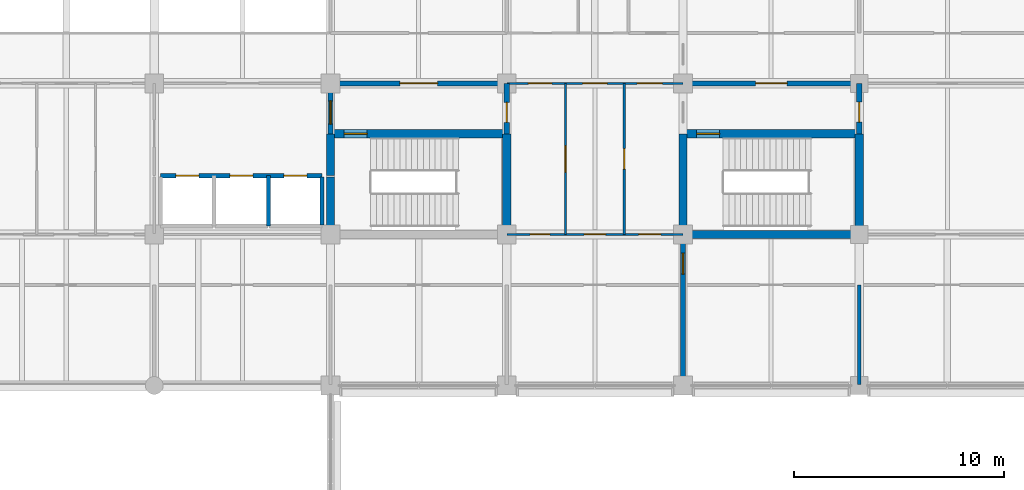
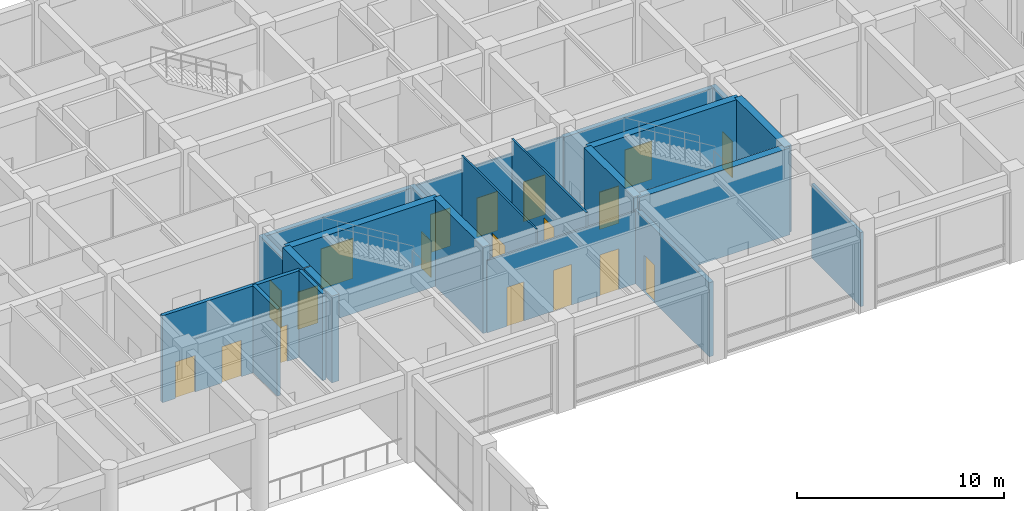
# One storey, part 49 of 68: 22 walls, 19 doors, 19 openings.
"""IFC4 building model written with IfcOpenShell, lengths in metres."""

from ifc_helpers import new_model, si_unit, direction, frame, frame_2d, origin, place, context, subcontext, project, spatial, rectangle, extrude, material, layer, layer_set, type_object, element, fill, save


model = new_model("IFC4")

# Units and contexts
model_context = context("Model", 3, precision=1e-05, world=origin(), true_north=direction((0.0, 1.0)))
body_context = subcontext(model_context, "Body", "Model", "MODEL_VIEW")
ifc_project = project(units=[si_unit("LENGTHUNIT", "METRE"), si_unit("AREAUNIT", "SQUARE_METRE"), si_unit("VOLUMEUNIT", "CUBIC_METRE"), si_unit("PLANEANGLEUNIT", "RADIAN"), si_unit("MASSUNIT", "GRAM", prefix="KILO")], contexts=[model_context])

# Site, building, storey
site_placement = place(None, origin())
site = spatial("IfcSite", under=ifc_project, at=site_placement, CompositionType="ELEMENT")
building_placement = place(site_placement, origin())
building = spatial("IfcBuilding", under=site, at=building_placement, Name="Chengyuan Square Courthouse", CompositionType="ELEMENT")
storey_placement = place(building_placement, frame((0.0, 0.0, 5.39990234375)))
storey = spatial("IfcBuildingStorey", under=building, at=storey_placement, Name="L02", CompositionType="ELEMENT", Elevation=5.39990234375)

# Wall, opening, door
ifc_material_1 = material(Name="Concrete C40", Category="concrete")
ifc_layer_1 = layer(ifc_material_1, 0.25)
ifc_layer_set_1 = layer_set([ifc_layer_1], Name="Concrete C40")
wall_type_1 = type_object("IfcWallType", Name="WL-FW1", PredefinedType="STANDARD", material=ifc_layer_set_1)
wall_1_placement = place(storey_placement, frame((100.800048828125, 93.60009765625, 0.0), z_axis=(0.0, 0.0, 1.0), x_axis=(1.0, 0.0, 0.0)))
wall_1 = element("IfcWall", 1, at=wall_1_placement, inside=storey, type_object=wall_type_1, Name="Interior Wall WL-L02-I1105", PredefinedType="STANDARD", context=body_context, shape_type="SweptSolid", body=[
    extrude(rectangle(XDim=8.39990234375, YDim=0.25, at=frame_2d((4.199951171875, 0.0))), origin(), (0.0, 0.0, 1.0), 4.27001953125),
])
opening_1_placement = place(wall_1_placement, frame((3.300048828125, 0.0, 0.0)))
opening_1 = element("IfcOpeningElement", 2, at=opening_1_placement, cuts=wall_1, Name="Opening DR-1019", PredefinedType="OPENING", context=body_context, shape_type="SweptSolid", body=[
    extrude(rectangle(XDim=1.800048828125, YDim=2.35009765625, at=frame_2d((0.89990234375, 1.175048828125))), frame((0.0, 0.136962890625, 0.0), z_axis=(0.0, -1.0, 0.0), x_axis=(1.0, 0.0, 0.0)), (0.0, 0.0, 1.0), 0.27392578125),
])
ifc_material_2 = material(Name="Steel Q235B Glazed Fire Door", Category="steel")
door_type_1 = type_object("IfcDoorType", Name="DT-18", OperationType="DOUBLE_DOOR_SINGLE_SWING", PredefinedType="DOOR", material=ifc_material_2)
door_1_placement = place(opening_1_placement, frame((1.800048828125, 0.0, 0.0), z_axis=(0.0, 0.0, 1.0), x_axis=(-1.0, 0.0, 0.0)))
door_1 = element("IfcDoor", 3, at=door_1_placement, inside=storey, type_object=door_type_1, Name="Interior Door DR-1019", OperationType="DOUBLE_DOOR_SINGLE_SWING", OverallHeight=2.35009765625, OverallWidth=1.800048828125, PredefinedType="DOOR", context=body_context, shape_type="SweptSolid", body=[
    extrude(rectangle(XDim=1.800048828125, YDim=2.35009765625, at=frame_2d((0.89990234375, 1.175048828125))), frame((0.0, 0.02490234375, 0.0), z_axis=(0.0, -1.0, 0.0), x_axis=(1.0, 0.0, 0.0)), (0.0, 0.0, 1.0), 0.050048828125),
])
fill(opening_1, door_1)

wall_2_placement = place(storey_placement, frame((117.60009765625, 93.60009765625, 0.0), z_axis=(0.0, 0.0, 1.0), x_axis=(1.0, 0.0, 0.0)))
wall_2 = element("IfcWall", 4, at=wall_2_placement, inside=storey, type_object=wall_type_1, Name="Interior Wall WL-L02-I1107", PredefinedType="STANDARD", context=body_context, shape_type="SweptSolid", body=[
    extrude(rectangle(XDim=8.39990234375, YDim=0.25, at=frame_2d((4.199951171875, 0.0))), origin(), (0.0, 0.0, 1.0), 4.27001953125),
])
opening_2_placement = place(wall_2_placement, frame((3.46240234375, 0.0, 0.0)))
opening_2 = element("IfcOpeningElement", 5, at=opening_2_placement, cuts=wall_2, Name="Opening DR-1024", PredefinedType="OPENING", context=body_context, shape_type="SweptSolid", body=[
    extrude(rectangle(XDim=1.5, YDim=2.25, at=frame_2d((0.75, 1.125))), frame((0.0, 0.136962890625, 0.0), z_axis=(0.0, -1.0, 0.0), x_axis=(1.0, 0.0, 0.0)), (0.0, 0.0, 1.0), 0.27392578125),
])
door_type_2 = type_object("IfcDoorType", Name="DT-19", OperationType="DOUBLE_DOOR_SINGLE_SWING", PredefinedType="DOOR", material=ifc_material_2)
door_2_placement = place(opening_2_placement, frame((1.5, 0.0, 0.0), z_axis=(0.0, 0.0, 1.0), x_axis=(-1.0, 0.0, 0.0)))
door_2 = element("IfcDoor", 6, at=door_2_placement, inside=storey, type_object=door_type_2, Name="Interior Door DR-1024", OperationType="DOUBLE_DOOR_SINGLE_SWING", OverallHeight=2.25, OverallWidth=1.5, PredefinedType="DOOR", context=body_context, shape_type="SweptSolid", body=[
    extrude(rectangle(XDim=1.5, YDim=2.25, at=frame_2d((0.75, 1.125))), frame((0.0, 0.02490234375, 0.0), z_axis=(0.0, -1.0, 0.0), x_axis=(1.0, 0.0, 0.0)), (0.0, 0.0, 1.0), 0.050048828125),
])
fill(opening_2, door_2)

wall_3_placement = place(storey_placement, frame((100.800048828125, 91.199951171875, 0.0), z_axis=(0.0, 0.0, 1.0), x_axis=(0.0, 1.0, 0.0)))
wall_3 = element("IfcWall", 7, at=wall_3_placement, inside=storey, type_object=wall_type_1, Name="Interior Wall WL-L02-I1319", PredefinedType="STANDARD", context=body_context, shape_type="SweptSolid", body=[
    extrude(rectangle(XDim=2.400146484375, YDim=0.25, at=frame_2d((1.2001953125, 0.0))), origin(), (0.0, 0.0, 1.0), 4.3701171875),
])
opening_3_placement = place(wall_3_placement, frame((0.465087890625, 0.0, 0.0)))
opening_3 = element("IfcOpeningElement", 8, at=opening_3_placement, cuts=wall_3, Name="Opening DR-1018", PredefinedType="OPENING", context=body_context, shape_type="SweptSolid", body=[
    extrude(rectangle(XDim=1.10009765625, YDim=2.199951171875, at=frame_2d((0.550048828125, 1.10009765625))), frame((0.0, 0.136962890625, 0.0), z_axis=(0.0, -1.0, 0.0), x_axis=(1.0, 0.0, 0.0)), (0.0, 0.0, 1.0), 0.27392578125),
])
ifc_material_3 = material(Name="Steel Q235B Fire Door", Category="steel")
door_type_3 = type_object("IfcDoorType", Name="DT-10", OperationType="NOTDEFINED", PredefinedType="DOOR", material=ifc_material_3)
door_3_placement = place(opening_3_placement, origin())
door_3 = element("IfcDoor", 9, at=door_3_placement, inside=storey, type_object=door_type_3, Name="Interior Door DR-1018", OperationType="SINGLE_SWING_LEFT", OverallHeight=2.199951171875, OverallWidth=1.10009765625, PredefinedType="DOOR", context=body_context, shape_type="SweptSolid", body=[
    extrude(rectangle(XDim=1.10009765625, YDim=2.199951171875, at=frame_2d((0.550048828125, 1.10009765625))), frame((0.0, 0.02490234375, 0.0), z_axis=(0.0, -1.0, 0.0), x_axis=(1.0, 0.0, 0.0)), (0.0, 0.0, 1.0), 0.050048828125),
])
fill(opening_3, door_3)

wall_4_placement = place(storey_placement, frame((109.199951171875, 91.199951171875, 0.0), z_axis=(0.0, 0.0, 1.0), x_axis=(0.0, 1.0, 0.0)))
wall_4 = element("IfcWall", 10, at=wall_4_placement, inside=storey, type_object=wall_type_1, Name="Interior Wall WL-L02-I1327", PredefinedType="STANDARD", context=body_context, shape_type="SweptSolid", body=[
    extrude(rectangle(XDim=2.400146484375, YDim=0.25, at=frame_2d((1.2001953125, 0.0))), origin(), (0.0, 0.0, 1.0), 4.3701171875),
])
opening_4_placement = place(wall_4_placement, frame((0.5400390625, 0.0, 0.0)))
opening_4 = element("IfcOpeningElement", 11, at=opening_4_placement, cuts=wall_4, Name="Opening DR-1020", PredefinedType="OPENING", context=body_context, shape_type="SweptSolid", body=[
    extrude(rectangle(XDim=0.949951171875, YDim=2.14990234375, at=frame_2d((0.47509765625, 1.074951171875))), frame((0.0, 0.136962890625, 0.0), z_axis=(0.0, -1.0, 0.0), x_axis=(1.0, 0.0, 0.0)), (0.0, 0.0, 1.0), 0.27392578125),
])
door_type_4 = type_object("IfcDoorType", Name="DT-12", OperationType="NOTDEFINED", PredefinedType="DOOR", material=ifc_material_3)
door_4_placement = place(opening_4_placement, origin())
door_4 = element("IfcDoor", 12, at=door_4_placement, inside=storey, type_object=door_type_4, Name="Interior Door DR-1020", OperationType="SINGLE_SWING_RIGHT", OverallHeight=2.14990234375, OverallWidth=0.949951171875, PredefinedType="DOOR", context=body_context, shape_type="SweptSolid", body=[
    extrude(rectangle(XDim=0.949951171875, YDim=2.14990234375, at=frame_2d((0.47509765625, 1.074951171875))), frame((0.0, 0.02490234375, 0.0), z_axis=(0.0, -1.0, 0.0), x_axis=(1.0, 0.0, 0.0)), (0.0, 0.0, 1.0), 0.050048828125),
])
fill(opening_4, door_4)

wall_5_placement = place(storey_placement, frame((117.60009765625, 79.239990234375, 0.0), z_axis=(0.0, 0.0, 1.0), x_axis=(0.0, 1.0, 0.0)))
wall_5 = element("IfcWall", 13, at=wall_5_placement, inside=storey, type_object=wall_type_1, Name="Interior Wall WL-L02-I1340", PredefinedType="STANDARD", context=body_context, shape_type="SweptSolid", body=[
    extrude(rectangle(XDim=7.159912109375, YDim=0.25, at=frame_2d((3.580078125, 0.0))), origin(), (0.0, 0.0, 1.0), 4.3701171875),
])
opening_5_placement = place(wall_5_placement, frame((5.27490234375, 0.0, 0.0)))
opening_5 = element("IfcOpeningElement", 14, at=opening_5_placement, cuts=wall_5, Name="Opening DR-1241", PredefinedType="OPENING", context=body_context, shape_type="SweptSolid", body=[
    extrude(rectangle(XDim=1.0, YDim=2.199951171875, at=frame_2d((0.5, 1.10009765625))), frame((0.0, 0.136962890625, 0.0), z_axis=(0.0, -1.0, 0.0), x_axis=(1.0, 0.0, 0.0)), (0.0, 0.0, 1.0), 0.27392578125),
])
door_type_5 = type_object("IfcDoorType", Name="DT-11", OperationType="NOTDEFINED", PredefinedType="DOOR", material=ifc_material_3)
door_5_placement = place(opening_5_placement, origin())
door_5 = element("IfcDoor", 15, at=door_5_placement, inside=storey, type_object=door_type_5, Name="Interior Door DR-1241", OperationType="SINGLE_SWING_RIGHT", OverallHeight=2.199951171875, OverallWidth=1.0, PredefinedType="DOOR", context=body_context, shape_type="SweptSolid", body=[
    extrude(rectangle(XDim=1.0, YDim=2.199951171875, at=frame_2d((0.5, 1.10009765625))), frame((0.0, 0.02490234375, 0.0), z_axis=(0.0, -1.0, 0.0), x_axis=(1.0, 0.0, 0.0)), (0.0, 0.0, 1.0), 0.050048828125),
])
fill(opening_5, door_5)

wall_6_placement = place(storey_placement, frame((126.0, 91.199951171875, 0.0), z_axis=(0.0, 0.0, 1.0), x_axis=(0.0, 1.0, 0.0)))
wall_6 = element("IfcWall", 16, at=wall_6_placement, inside=storey, type_object=wall_type_1, Name="Interior Wall WL-L02-I1350", PredefinedType="STANDARD", context=body_context, shape_type="SweptSolid", body=[
    extrude(rectangle(XDim=2.400146484375, YDim=0.25, at=frame_2d((1.2001953125, 0.0))), origin(), (0.0, 0.0, 1.0), 4.3701171875),
])
opening_6_placement = place(wall_6_placement, frame((0.552490234375, 0.0, 0.0)))
opening_6 = element("IfcOpeningElement", 17, at=opening_6_placement, cuts=wall_6, Name="Opening DR-1026", PredefinedType="OPENING", context=body_context, shape_type="SweptSolid", body=[
    extrude(rectangle(XDim=0.949951171875, YDim=2.14990234375, at=frame_2d((0.47509765625, 1.074951171875))), frame((0.0, 0.136962890625, 0.0), z_axis=(0.0, -1.0, 0.0), x_axis=(1.0, 0.0, 0.0)), (0.0, 0.0, 1.0), 0.27392578125),
])
door_6_placement = place(opening_6_placement, origin())
door_6 = element("IfcDoor", 18, at=door_6_placement, inside=storey, type_object=door_type_4, Name="Interior Door DR-1026", OperationType="SINGLE_SWING_RIGHT", OverallHeight=2.14990234375, OverallWidth=0.949951171875, PredefinedType="DOOR", context=body_context, shape_type="SweptSolid", body=[
    extrude(rectangle(XDim=0.949951171875, YDim=2.14990234375, at=frame_2d((0.47509765625, 1.074951171875))), frame((0.0, 0.02490234375, 0.0), z_axis=(0.0, -1.0, 0.0), x_axis=(1.0, 0.0, 0.0)), (0.0, 0.0, 1.0), 0.050048828125),
])
fill(opening_6, door_6)

# Wall
ifc_material_4 = material(Name="Deliberation Room Sound-Insulated Partition")
ifc_layer_2 = layer(ifc_material_4, 0.14990234375)
ifc_layer_set_2 = layer_set([ifc_layer_2], Name="Deliberation Room Sound-Insulated Partition")
wall_type_2 = type_object("IfcWallType", Name="WL-PT3", PredefinedType="STANDARD", material=ifc_layer_set_2)
wall_7_placement = place(storey_placement, frame((126.0, 79.239990234375, 0.0), z_axis=(0.0, 0.0, 1.0), x_axis=(0.0, 1.0, 0.0)))
element("IfcWall", 19, at=wall_7_placement, inside=storey, type_object=wall_type_2, Name="Interior Wall WL-L02-I1348", PredefinedType="STANDARD", context=body_context, shape_type="SweptSolid", body=[
    extrude(rectangle(XDim=4.760009765625, YDim=0.14990234375, at=frame_2d((2.3798828125, 0.0))), origin(), (0.0, 0.0, 1.0), 4.3701171875),
])

# Wall, openings, doors
ifc_material_5 = material(Name="Gypsum Plasterboard Acoustic Stud Partition")
ifc_layer_3 = layer(ifc_material_5, 0.10009765625)
ifc_layer_set_3 = layer_set([ifc_layer_3], Name="Gypsum Plasterboard Acoustic Stud Partition")
wall_type_3 = type_object("IfcWallType", Name="WL-PT6", PredefinedType="STANDARD", material=ifc_layer_set_3)
wall_8_placement = place(storey_placement, frame((109.199951171875, 86.39990234375, 0.0), z_axis=(0.0, 0.0, 1.0), x_axis=(1.0, 0.0, 0.0)))
wall_8 = element("IfcWall", 20, at=wall_8_placement, inside=storey, type_object=wall_type_3, Name="Interior Wall WL-L02-I1078", PredefinedType="STANDARD", context=body_context, shape_type="SweptSolid", body=[
    extrude(rectangle(XDim=8.400146484375, YDim=0.10009765625, at=frame_2d((4.2001953125, 0.0))), origin(), (0.0, 0.0, 1.0), 4.27001953125),
])
opening_7_placement = place(wall_8_placement, frame((1.114990234375, 0.0, 0.0)))
opening_7 = element("IfcOpeningElement", 21, at=opening_7_placement, cuts=wall_8, Name="Opening DR-1200", PredefinedType="OPENING", context=body_context, shape_type="SweptSolid", body=[
    extrude(rectangle(XDim=0.93994140625, YDim=2.300048828125, at=frame_2d((0.469970703125, 1.14990234375))), frame((0.0, 0.06201171875, 0.0), z_axis=(0.0, -1.0, 0.0), x_axis=(1.0, 0.0, 0.0)), (0.0, 0.0, 1.0), 0.1240234375),
])
opening_8_placement = place(wall_8_placement, frame((3.68994140625, 0.0, 0.0)))
opening_8 = element("IfcOpeningElement", 22, at=opening_8_placement, cuts=wall_8, Name="Opening DR-1202", PredefinedType="OPENING", context=body_context, shape_type="SweptSolid", body=[
    extrude(rectangle(XDim=1.02001953125, YDim=2.39990234375, at=frame_2d((0.510009765625, 1.199951171875))), frame((0.0, 0.06201171875, 0.0), z_axis=(0.0, -1.0, 0.0), x_axis=(1.0, 0.0, 0.0)), (0.0, 0.0, 1.0), 0.1240234375),
])
opening_9_placement = place(wall_8_placement, frame((6.284912109375, 0.0, 0.0)))
opening_9 = element("IfcOpeningElement", 23, at=opening_9_placement, cuts=wall_8, Name="Opening DR-1203", PredefinedType="OPENING", context=body_context, shape_type="SweptSolid", body=[
    extrude(rectangle(XDim=1.06005859375, YDim=2.39990234375, at=frame_2d((0.530029296875, 1.199951171875))), frame((0.0, 0.06201171875, 0.0), z_axis=(0.0, -1.0, 0.0), x_axis=(1.0, 0.0, 0.0)), (0.0, 0.0, 1.0), 0.1240234375),
])
ifc_material_6 = material(Name="Acoustic Solid-Core Timber Door", Category="wood")
door_type_6 = type_object("IfcDoorType", Name="DT-39", OperationType="NOTDEFINED", PredefinedType="DOOR", material=ifc_material_6)
door_7_placement = place(opening_7_placement, origin())
door_7 = element("IfcDoor", 24, at=door_7_placement, inside=storey, type_object=door_type_6, Name="Interior Door DR-1200", OperationType="SINGLE_SWING_LEFT", OverallHeight=2.300048828125, OverallWidth=0.93994140625, PredefinedType="DOOR", context=body_context, shape_type="SweptSolid", body=[
    extrude(rectangle(XDim=0.93994140625, YDim=2.300048828125, at=frame_2d((0.469970703125, 1.14990234375))), frame((0.0, 0.02490234375, 0.0), z_axis=(0.0, -1.0, 0.0), x_axis=(1.0, 0.0, 0.0)), (0.0, 0.0, 1.0), 0.050048828125),
])
fill(opening_7, door_7)
door_type_7 = type_object("IfcDoorType", Name="DT-41", OperationType="NOTDEFINED", PredefinedType="DOOR", material=ifc_material_6)
door_8_placement = place(opening_8_placement, origin())
door_8 = element("IfcDoor", 25, at=door_8_placement, inside=storey, type_object=door_type_7, Name="Interior Door DR-1202", OperationType="SINGLE_SWING_LEFT", OverallHeight=2.39990234375, OverallWidth=1.02001953125, PredefinedType="DOOR", context=body_context, shape_type="SweptSolid", body=[
    extrude(rectangle(XDim=1.02001953125, YDim=2.39990234375, at=frame_2d((0.510009765625, 1.199951171875))), frame((0.0, 0.02490234375, 0.0), z_axis=(0.0, -1.0, 0.0), x_axis=(1.0, 0.0, 0.0)), (0.0, 0.0, 1.0), 0.050048828125),
])
fill(opening_8, door_8)
door_type_8 = type_object("IfcDoorType", Name="DT-42", OperationType="NOTDEFINED", PredefinedType="DOOR", material=ifc_material_6)
door_9_placement = place(opening_9_placement, origin())
door_9 = element("IfcDoor", 26, at=door_9_placement, inside=storey, type_object=door_type_8, Name="Interior Door DR-1203", OperationType="SINGLE_SWING_RIGHT", OverallHeight=2.39990234375, OverallWidth=1.06005859375, PredefinedType="DOOR", context=body_context, shape_type="SweptSolid", body=[
    extrude(rectangle(XDim=1.06005859375, YDim=2.39990234375, at=frame_2d((0.530029296875, 1.199951171875))), frame((0.0, 0.02490234375, 0.0), z_axis=(0.0, -1.0, 0.0), x_axis=(1.0, 0.0, 0.0)), (0.0, 0.0, 1.0), 0.050048828125),
])
fill(opening_9, door_9)

wall_9_placement = place(storey_placement, frame((109.199951171875, 93.60009765625, 0.0), z_axis=(0.0, 0.0, 1.0), x_axis=(1.0, 0.0, 0.0)))
wall_9 = element("IfcWall", 27, at=wall_9_placement, inside=storey, type_object=wall_type_3, Name="Interior Wall WL-L02-I1106", PredefinedType="STANDARD", context=body_context, shape_type="SweptSolid", body=[
    extrude(rectangle(XDim=8.400146484375, YDim=0.10009765625, at=frame_2d((4.2001953125, 0.0))), origin(), (0.0, 0.0, 1.0), 4.27001953125),
])
opening_10_placement = place(wall_9_placement, frame((1.02490234375, 0.0, 0.0)))
opening_10 = element("IfcOpeningElement", 28, at=opening_10_placement, cuts=wall_9, Name="Opening DR-1144", PredefinedType="OPENING", context=body_context, shape_type="SweptSolid", body=[
    extrude(rectangle(XDim=1.1201171875, YDim=2.25, at=frame_2d((0.56005859375, 1.125))), frame((0.0, 0.06201171875, 0.0), z_axis=(0.0, -1.0, 0.0), x_axis=(1.0, 0.0, 0.0)), (0.0, 0.0, 1.0), 0.1240234375),
])
opening_11_placement = place(wall_9_placement, frame((3.6201171875, 0.0, 0.0)))
opening_11 = element("IfcOpeningElement", 29, at=opening_11_placement, cuts=wall_9, Name="Opening DR-1145", PredefinedType="OPENING", context=body_context, shape_type="SweptSolid", body=[
    extrude(rectangle(XDim=1.159912109375, YDim=2.300048828125, at=frame_2d((0.580078125, 1.14990234375))), frame((0.0, 0.06201171875, 0.0), z_axis=(0.0, -1.0, 0.0), x_axis=(1.0, 0.0, 0.0)), (0.0, 0.0, 1.0), 0.1240234375),
])
opening_12_placement = place(wall_9_placement, frame((6.215087890625, 0.0, 0.0)))
opening_12 = element("IfcOpeningElement", 30, at=opening_12_placement, cuts=wall_9, Name="Opening DR-1146", PredefinedType="OPENING", context=body_context, shape_type="SweptSolid", body=[
    extrude(rectangle(XDim=1.199951171875, YDim=2.35009765625, at=frame_2d((0.60009765625, 1.175048828125))), frame((0.0, 0.06201171875, 0.0), z_axis=(0.0, -1.0, 0.0), x_axis=(1.0, 0.0, 0.0)), (0.0, 0.0, 1.0), 0.1240234375),
])
door_type_9 = type_object("IfcDoorType", Name="DT-34", OperationType="NOTDEFINED", PredefinedType="DOOR", material=ifc_material_6)
door_10_placement = place(opening_10_placement, origin())
door_10 = element("IfcDoor", 31, at=door_10_placement, inside=storey, type_object=door_type_9, Name="Interior Door DR-1144", OperationType="SINGLE_SWING_RIGHT", OverallHeight=2.25, OverallWidth=1.1201171875, PredefinedType="DOOR", context=body_context, shape_type="SweptSolid", body=[
    extrude(rectangle(XDim=1.1201171875, YDim=2.25, at=frame_2d((0.56005859375, 1.125))), frame((0.0, 0.02490234375, 0.0), z_axis=(0.0, -1.0, 0.0), x_axis=(1.0, 0.0, 0.0)), (0.0, 0.0, 1.0), 0.050048828125),
])
fill(opening_10, door_10)
door_type_10 = type_object("IfcDoorType", Name="DT-35", OperationType="NOTDEFINED", PredefinedType="DOOR", material=ifc_material_6)
door_11_placement = place(opening_11_placement, origin())
door_11 = element("IfcDoor", 32, at=door_11_placement, inside=storey, type_object=door_type_10, Name="Interior Door DR-1145", OperationType="SINGLE_SWING_LEFT", OverallHeight=2.300048828125, OverallWidth=1.159912109375, PredefinedType="DOOR", context=body_context, shape_type="SweptSolid", body=[
    extrude(rectangle(XDim=1.159912109375, YDim=2.300048828125, at=frame_2d((0.580078125, 1.14990234375))), frame((0.0, 0.02490234375, 0.0), z_axis=(0.0, -1.0, 0.0), x_axis=(1.0, 0.0, 0.0)), (0.0, 0.0, 1.0), 0.050048828125),
])
fill(opening_11, door_11)
door_type_11 = type_object("IfcDoorType", Name="DT-36", OperationType="NOTDEFINED", PredefinedType="DOOR", material=ifc_material_6)
door_12_placement = place(opening_12_placement, origin())
door_12 = element("IfcDoor", 33, at=door_12_placement, inside=storey, type_object=door_type_11, Name="Interior Door DR-1146", OperationType="SINGLE_SWING_RIGHT", OverallHeight=2.35009765625, OverallWidth=1.199951171875, PredefinedType="DOOR", context=body_context, shape_type="SweptSolid", body=[
    extrude(rectangle(XDim=1.199951171875, YDim=2.35009765625, at=frame_2d((0.60009765625, 1.175048828125))), frame((0.0, 0.02490234375, 0.0), z_axis=(0.0, -1.0, 0.0), x_axis=(1.0, 0.0, 0.0)), (0.0, 0.0, 1.0), 0.050048828125),
])
fill(opening_12, door_12)

# Wall, opening, door
wall_10_placement = place(storey_placement, frame((112.0, 86.39990234375, 0.0), z_axis=(0.0, 0.0, 1.0), x_axis=(0.0, 1.0, 0.0)))
wall_10 = element("IfcWall", 34, at=wall_10_placement, inside=storey, type_object=wall_type_3, Name="Interior Wall WL-L02-I1332", PredefinedType="STANDARD", context=body_context, shape_type="SweptSolid", body=[
    extrude(rectangle(XDim=7.2001953125, YDim=0.10009765625, at=frame_2d((3.60009765625, 0.0))), origin(), (0.0, 0.0, 1.0), 5.1201171875),
])
opening_13_placement = place(wall_10_placement, frame((2.9599609375, 0.0, 0.0)))
opening_13 = element("IfcOpeningElement", 35, at=opening_13_placement, cuts=wall_10, Name="Opening DR-1199", PredefinedType="OPENING", context=body_context, shape_type="SweptSolid", body=[
    extrude(rectangle(XDim=1.280029296875, YDim=2.35009765625, at=frame_2d((0.64013671875, 1.175048828125))), frame((0.0, 0.06201171875, 0.0), z_axis=(0.0, -1.0, 0.0), x_axis=(1.0, 0.0, 0.0)), (0.0, 0.0, 1.0), 0.1240234375),
])
door_type_12 = type_object("IfcDoorType", Name="DT-38", OperationType="NOTDEFINED", PredefinedType="DOOR", material=ifc_material_6)
door_13_placement = place(opening_13_placement, origin())
door_13 = element("IfcDoor", 36, at=door_13_placement, inside=storey, type_object=door_type_12, Name="Interior Door DR-1199", OperationType="SINGLE_SWING_RIGHT", OverallHeight=2.35009765625, OverallWidth=1.280029296875, PredefinedType="DOOR", context=body_context, shape_type="SweptSolid", body=[
    extrude(rectangle(XDim=1.280029296875, YDim=2.35009765625, at=frame_2d((0.64013671875, 1.175048828125))), frame((0.0, 0.02490234375, 0.0), z_axis=(0.0, -1.0, 0.0), x_axis=(1.0, 0.0, 0.0)), (0.0, 0.0, 1.0), 0.050048828125),
])
fill(opening_13, door_13)

wall_11_placement = place(storey_placement, frame((114.800048828125, 86.39990234375, 0.0), z_axis=(0.0, 0.0, 1.0), x_axis=(0.0, 1.0, 0.0)))
wall_11 = element("IfcWall", 37, at=wall_11_placement, inside=storey, type_object=wall_type_3, Name="Interior Wall WL-L02-I1337", PredefinedType="STANDARD", context=body_context, shape_type="SweptSolid", body=[
    extrude(rectangle(XDim=7.2001953125, YDim=0.10009765625, at=frame_2d((3.60009765625, 0.0))), origin(), (0.0, 0.0, 1.0), 5.1201171875),
])
opening_14_placement = place(wall_11_placement, frame((3.110107421875, 0.0, 0.0)))
opening_14 = element("IfcOpeningElement", 38, at=opening_14_placement, cuts=wall_11, Name="Opening DR-1201", PredefinedType="OPENING", context=body_context, shape_type="SweptSolid", body=[
    extrude(rectangle(XDim=0.97998046875, YDim=2.35009765625, at=frame_2d((0.489990234375, 1.175048828125))), frame((0.0, 0.06201171875, 0.0), z_axis=(0.0, -1.0, 0.0), x_axis=(1.0, 0.0, 0.0)), (0.0, 0.0, 1.0), 0.1240234375),
])
door_type_13 = type_object("IfcDoorType", Name="DT-40", OperationType="NOTDEFINED", PredefinedType="DOOR", material=ifc_material_6)
door_14_placement = place(opening_14_placement, origin())
door_14 = element("IfcDoor", 39, at=door_14_placement, inside=storey, type_object=door_type_13, Name="Interior Door DR-1201", OperationType="SINGLE_SWING_RIGHT", OverallHeight=2.35009765625, OverallWidth=0.97998046875, PredefinedType="DOOR", context=body_context, shape_type="SweptSolid", body=[
    extrude(rectangle(XDim=0.97998046875, YDim=2.35009765625, at=frame_2d((0.489990234375, 1.175048828125))), frame((0.0, 0.02490234375, 0.0), z_axis=(0.0, -1.0, 0.0), x_axis=(1.0, 0.0, 0.0)), (0.0, 0.0, 1.0), 0.050048828125),
])
fill(opening_14, door_14)

# Wall, openings, doors
ifc_material_7 = material(Name="Reinforced Masonry Shaft Enclosure", Category="masonry")
ifc_layer_4 = layer(ifc_material_7, 0.199951171875)
ifc_layer_set_4 = layer_set([ifc_layer_4], Name="Reinforced Masonry Shaft Enclosure")
wall_type_4 = type_object("IfcWallType", Name="WL-SH1", PredefinedType="STANDARD", material=ifc_layer_set_4)
wall_12_placement = place(storey_placement, frame((92.699951171875, 89.199951171875, 0.0), z_axis=(0.0, 0.0, 1.0), x_axis=(1.0, 0.0, 0.0)))
wall_12 = element("IfcWall", 40, at=wall_12_placement, inside=storey, type_object=wall_type_4, Name="Interior Wall WL-L02-I1090", PredefinedType="STANDARD", context=body_context, shape_type="SweptSolid", body=[
    extrude(rectangle(XDim=7.699951171875, YDim=0.199951171875, at=frame_2d((3.85009765625, 0.0))), origin(), (0.0, 0.0, 1.0), 5.1201171875),
])
opening_15_placement = place(wall_12_placement, frame((0.72509765625, 0.0, 0.0)))
opening_15 = element("IfcOpeningElement", 41, at=opening_15_placement, cuts=wall_12, Name="Opening LD-048", PredefinedType="OPENING", context=body_context, shape_type="SweptSolid", body=[
    extrude(rectangle(XDim=1.10009765625, YDim=2.14990234375, at=frame_2d((0.550048828125, 1.074951171875))), frame((0.0, 0.112060546875, 0.0), z_axis=(0.0, -1.0, 0.0), x_axis=(1.0, 0.0, 0.0)), (0.0, 0.0, 1.0), 0.223876953125),
])
opening_16_placement = place(wall_12_placement, frame((3.300048828125, 0.0, 0.0)))
opening_16 = element("IfcOpeningElement", 42, at=opening_16_placement, cuts=wall_12, Name="Opening LD-049", PredefinedType="OPENING", context=body_context, shape_type="SweptSolid", body=[
    extrude(rectangle(XDim=1.10009765625, YDim=2.14990234375, at=frame_2d((0.550048828125, 1.074951171875))), frame((0.0, 0.112060546875, 0.0), z_axis=(0.0, -1.0, 0.0), x_axis=(1.0, 0.0, 0.0)), (0.0, 0.0, 1.0), 0.223876953125),
])
opening_17_placement = place(wall_12_placement, frame((5.875, 0.0, 0.0)))
opening_17 = element("IfcOpeningElement", 43, at=opening_17_placement, cuts=wall_12, Name="Opening LD-050", PredefinedType="OPENING", context=body_context, shape_type="SweptSolid", body=[
    extrude(rectangle(XDim=1.10009765625, YDim=2.14990234375, at=frame_2d((0.550048828125, 1.074951171875))), frame((0.0, 0.112060546875, 0.0), z_axis=(0.0, -1.0, 0.0), x_axis=(1.0, 0.0, 0.0)), (0.0, 0.0, 1.0), 0.223876953125),
])
ifc_material_8 = material(Name="Stainless Steel S30408 Lift Landing Door", Category="steel")
door_type_14 = type_object("IfcDoorType", Name="DT-06", OperationType="DOUBLE_DOOR_SLIDING", PredefinedType="DOOR", material=ifc_material_8)
door_15_placement = place(opening_15_placement, origin())
door_15 = element("IfcDoor", 44, at=door_15_placement, inside=storey, type_object=door_type_14, Name="Lift Landing Door LF-P4 L02", OperationType="DOUBLE_DOOR_SLIDING", OverallHeight=2.14990234375, OverallWidth=1.10009765625, PredefinedType="DOOR", context=body_context, shape_type="SweptSolid", body=[
    extrude(rectangle(XDim=1.10009765625, YDim=2.14990234375, at=frame_2d((0.550048828125, 1.074951171875))), frame((0.0, 0.02490234375, 0.0), z_axis=(0.0, -1.0, 0.0), x_axis=(1.0, 0.0, 0.0)), (0.0, 0.0, 1.0), 0.050048828125),
])
fill(opening_15, door_15)
door_16_placement = place(opening_16_placement, origin())
door_16 = element("IfcDoor", 45, at=door_16_placement, inside=storey, type_object=door_type_14, Name="Lift Landing Door LF-P5 L02", OperationType="DOUBLE_DOOR_SLIDING", OverallHeight=2.14990234375, OverallWidth=1.10009765625, PredefinedType="DOOR", context=body_context, shape_type="SweptSolid", body=[
    extrude(rectangle(XDim=1.10009765625, YDim=2.14990234375, at=frame_2d((0.550048828125, 1.074951171875))), frame((0.0, 0.02490234375, 0.0), z_axis=(0.0, -1.0, 0.0), x_axis=(1.0, 0.0, 0.0)), (0.0, 0.0, 1.0), 0.050048828125),
])
fill(opening_16, door_16)
door_17_placement = place(opening_17_placement, origin())
door_17 = element("IfcDoor", 46, at=door_17_placement, inside=storey, type_object=door_type_14, Name="Lift Landing Door LF-P6 L02", OperationType="DOUBLE_DOOR_SLIDING", OverallHeight=2.14990234375, OverallWidth=1.10009765625, PredefinedType="DOOR", context=body_context, shape_type="SweptSolid", body=[
    extrude(rectangle(XDim=1.10009765625, YDim=2.14990234375, at=frame_2d((0.550048828125, 1.074951171875))), frame((0.0, 0.02490234375, 0.0), z_axis=(0.0, -1.0, 0.0), x_axis=(1.0, 0.0, 0.0)), (0.0, 0.0, 1.0), 0.050048828125),
])
fill(opening_17, door_17)

# Walls
wall_13_placement = place(storey_placement, frame((97.85009765625, 86.800048828125, 0.0), z_axis=(0.0, 0.0, 1.0), x_axis=(0.0, 1.0, 0.0)))
element("IfcWall", 47, at=wall_13_placement, inside=storey, type_object=wall_type_4, Name="Interior Wall WL-L02-I1313", PredefinedType="STANDARD", context=body_context, shape_type="SweptSolid", body=[
    extrude(rectangle(XDim=2.39990234375, YDim=0.199951171875, at=frame_2d((1.199951171875, 0.0))), origin(), (0.0, 0.0, 1.0), 5.1201171875),
])
wall_14_placement = place(storey_placement, frame((100.39990234375, 86.85009765625, 0.0), z_axis=(0.0, 0.0, 1.0), x_axis=(0.0, 1.0, 0.0)))
element("IfcWall", 48, at=wall_14_placement, inside=storey, type_object=wall_type_4, Name="Interior Wall WL-L02-I1314", PredefinedType="STANDARD", context=body_context, shape_type="SweptSolid", body=[
    extrude(rectangle(XDim=2.2998046875, YDim=0.199951171875, at=frame_2d((1.14990234375, 0.0))), origin(), (0.0, 0.0, 1.0), 5.1201171875),
])
ifc_material_9 = material(Name="Concrete C50", Category="concrete")
ifc_layer_5 = layer(ifc_material_9, 0.39990234375)
ifc_layer_set_5 = layer_set([ifc_layer_5], Name="Concrete C50")
wall_type_5 = type_object("IfcWallType", Name="WL-SW1", PredefinedType="SHEAR", material=ifc_layer_set_5)
wall_15_placement = place(storey_placement, frame((117.60009765625, 86.39990234375, 0.0), z_axis=(0.0, 0.0, 1.0), x_axis=(1.0, 0.0, 0.0)))
element("IfcWall", 49, at=wall_15_placement, inside=storey, type_object=wall_type_5, Name="Interior Wall WL-L02-I1079", PredefinedType="SHEAR", context=body_context, shape_type="SweptSolid", body=[
    extrude(rectangle(XDim=8.39990234375, YDim=0.39990234375, at=frame_2d((4.199951171875, 0.0))), origin(), (0.0, 0.0, 1.0), 5.1201171875),
])

# Wall, opening, door
wall_16_placement = place(storey_placement, frame((100.800048828125, 91.199951171875, 0.0), z_axis=(0.0, 0.0, 1.0), x_axis=(1.0, 0.0, 0.0)))
wall_16 = element("IfcWall", 50, at=wall_16_placement, inside=storey, type_object=wall_type_5, Name="Interior Wall WL-L02-I1095", PredefinedType="SHEAR", context=body_context, shape_type="SweptSolid", body=[
    extrude(rectangle(XDim=8.39990234375, YDim=0.39990234375, at=frame_2d((4.199951171875, 0.0))), origin(), (0.0, 0.0, 1.0), 5.1201171875),
])
opening_18_placement = place(wall_16_placement, frame((0.64990234375, 0.0, 0.0)))
opening_18 = element("IfcOpeningElement", 51, at=opening_18_placement, cuts=wall_16, Name="Opening DR-1002", PredefinedType="OPENING", context=body_context, shape_type="SweptSolid", body=[
    extrude(rectangle(XDim=1.10009765625, YDim=2.199951171875, at=frame_2d((0.550048828125, 1.10009765625))), frame((0.0, 0.2119140625, 0.0), z_axis=(0.0, -1.0, 0.0), x_axis=(1.0, 0.0, 0.0)), (0.0, 0.0, 1.0), 0.423828125),
])
door_18_placement = place(opening_18_placement, frame((1.10009765625, 0.0, 0.0), z_axis=(0.0, 0.0, 1.0), x_axis=(-1.0, 0.0, 0.0)))
door_18 = element("IfcDoor", 52, at=door_18_placement, inside=storey, type_object=door_type_3, Name="Smoke-Proof Stairwell Fire Door ST-4 DR-1002", OperationType="SINGLE_SWING_RIGHT", OverallHeight=2.199951171875, OverallWidth=1.10009765625, PredefinedType="DOOR", context=body_context, shape_type="SweptSolid", body=[
    extrude(rectangle(XDim=1.10009765625, YDim=2.199951171875, at=frame_2d((0.550048828125, 1.10009765625))), frame((0.0, 0.02490234375, 0.0), z_axis=(0.0, -1.0, 0.0), x_axis=(1.0, 0.0, 0.0)), (0.0, 0.0, 1.0), 0.050048828125),
])
fill(opening_18, door_18)

wall_17_placement = place(storey_placement, frame((117.60009765625, 91.199951171875, 0.0), z_axis=(0.0, 0.0, 1.0), x_axis=(1.0, 0.0, 0.0)))
wall_17 = element("IfcWall", 53, at=wall_17_placement, inside=storey, type_object=wall_type_5, Name="Interior Wall WL-L02-I1096", PredefinedType="SHEAR", context=body_context, shape_type="SweptSolid", body=[
    extrude(rectangle(XDim=8.39990234375, YDim=0.39990234375, at=frame_2d((4.199951171875, 0.0))), origin(), (0.0, 0.0, 1.0), 5.1201171875),
])
opening_19_placement = place(wall_17_placement, frame((0.64990234375, 0.0, 0.0)))
opening_19 = element("IfcOpeningElement", 54, at=opening_19_placement, cuts=wall_17, Name="Opening DR-1004", PredefinedType="OPENING", context=body_context, shape_type="SweptSolid", body=[
    extrude(rectangle(XDim=1.10009765625, YDim=2.199951171875, at=frame_2d((0.550048828125, 1.10009765625))), frame((0.0, 0.2119140625, 0.0), z_axis=(0.0, -1.0, 0.0), x_axis=(1.0, 0.0, 0.0)), (0.0, 0.0, 1.0), 0.423828125),
])
door_19_placement = place(opening_19_placement, frame((1.10009765625, 0.0, 0.0), z_axis=(0.0, 0.0, 1.0), x_axis=(-1.0, 0.0, 0.0)))
door_19 = element("IfcDoor", 55, at=door_19_placement, inside=storey, type_object=door_type_3, Name="Smoke-Proof Stairwell Fire Door ST-6 DR-1004", OperationType="SINGLE_SWING_RIGHT", OverallHeight=2.199951171875, OverallWidth=1.10009765625, PredefinedType="DOOR", context=body_context, shape_type="SweptSolid", body=[
    extrude(rectangle(XDim=1.10009765625, YDim=2.199951171875, at=frame_2d((0.550048828125, 1.10009765625))), frame((0.0, 0.02490234375, 0.0), z_axis=(0.0, -1.0, 0.0), x_axis=(1.0, 0.0, 0.0)), (0.0, 0.0, 1.0), 0.050048828125),
])
fill(opening_19, door_19)

# Walls
wall_18_placement = place(storey_placement, frame((100.800048828125, 86.449951171875, 0.0), z_axis=(0.0, 0.0, 1.0), x_axis=(0.0, 1.0, 0.0)))
element("IfcWall", 56, at=wall_18_placement, inside=storey, type_object=wall_type_5, Name="Interior Wall WL-L02-I1317", PredefinedType="SHEAR", context=body_context, shape_type="SweptSolid", body=[
    extrude(rectangle(XDim=2.699951171875, YDim=0.39990234375, at=frame_2d((1.35009765625, 0.0))), origin(), (0.0, 0.0, 1.0), 5.1201171875),
])
wall_19_placement = place(storey_placement, frame((100.800048828125, 89.199951171875, 0.0), z_axis=(0.0, 0.0, 1.0), x_axis=(0.0, 1.0, 0.0)))
element("IfcWall", 57, at=wall_19_placement, inside=storey, type_object=wall_type_5, Name="Interior Wall WL-L02-I1318", PredefinedType="SHEAR", context=body_context, shape_type="SweptSolid", body=[
    extrude(rectangle(XDim=2.0, YDim=0.39990234375, at=frame_2d((1.0, 0.0))), origin(), (0.0, 0.0, 1.0), 5.1201171875),
])
for number, where, z_axis, x_axis, name in (
    (58, (109.199951171875, 86.39990234375, 0.0), (0.0, 0.0, 1.0), (0.0, 1.0, 0.0), "Interior Wall WL-L02-I1326"),
    (59, (117.60009765625, 86.39990234375, 0.0), (0.0, 0.0, 1.0), (0.0, 1.0, 0.0), "Interior Wall WL-L02-I1341"),
    (60, (126.0, 86.39990234375, 0.0), (0.0, 0.0, 1.0), (0.0, 1.0, 0.0), "Interior Wall WL-L02-I1349"),
):
    element("IfcWall", number, at=place(storey_placement, frame(where, z_axis=z_axis, x_axis=x_axis)), inside=storey, type_object=wall_type_5, Name=name, PredefinedType="SHEAR", context=body_context, shape_type="SweptSolid", body=[
        extrude(rectangle(XDim=4.800048828125, YDim=0.39990234375, at=frame_2d((2.39990234375, 0.0))), origin(), (0.0, 0.0, 1.0), 5.1201171875),
    ])

save(model, "model.ifc")
